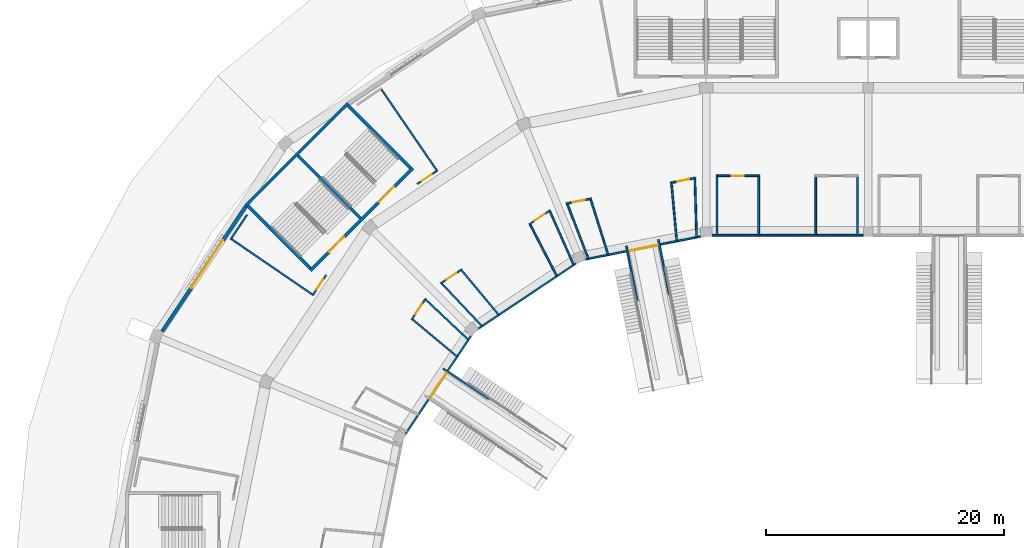
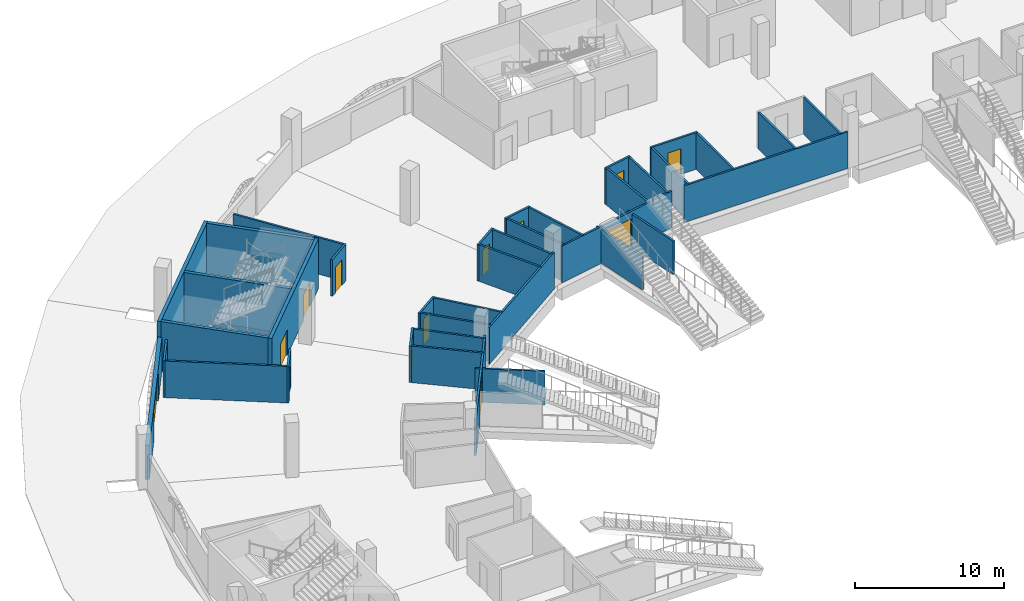
# One storey, part 37 of 175: 38 walls, 13 doors, 13 openings.
"""IFC4 building model written with IfcOpenShell, lengths in metres."""

from ifc_helpers import new_model, si_unit, direction, frame, frame_2d, origin, place, context, subcontext, project, spatial, rectangle, extrude, material, layer, layer_set, type_object, element, fill, save


model = new_model("IFC4")

# Units and contexts
model_context = context("Model", 3, precision=1e-05, world=origin(), true_north=direction((0.0, 1.0)))
body_context = subcontext(model_context, "Body", "Model", "MODEL_VIEW")
ifc_project = project(units=[si_unit("LENGTHUNIT", "METRE"), si_unit("AREAUNIT", "SQUARE_METRE"), si_unit("VOLUMEUNIT", "CUBIC_METRE"), si_unit("PLANEANGLEUNIT", "RADIAN"), si_unit("MASSUNIT", "GRAM", prefix="KILO")], contexts=[model_context])

# Site, building, storey
site_placement = place(None, origin())
site = spatial("IfcSite", under=ifc_project, at=site_placement, CompositionType="ELEMENT")
building_placement = place(site_placement, origin())
building = spatial("IfcBuilding", under=site, at=building_placement, Name="Ogive Plaza Stadium", CompositionType="ELEMENT")
storey_placement = place(building_placement, origin())
storey = spatial("IfcBuildingStorey", under=building, at=storey_placement, Name="L00", CompositionType="ELEMENT", Elevation=0.0)

# Wall, opening, door
ifc_material_1 = material(Name="Masonry blockwork", Category="masonry")
ifc_layer_1 = layer(ifc_material_1, 0.14990234375)
ifc_layer_set_1 = layer_set([ifc_layer_1], Name="Blockwork wall 150")
wall_type_1 = type_object("IfcWallType", Name="Blockwork wall 150", PredefinedType="SOLIDWALL", material=ifc_layer_set_1)
wall_1_placement = place(storey_placement, frame((-57.548095703125, 74.808837890625, 0.0), z_axis=(0.0, 0.0, 1.0), x_axis=(-0.555584101735, -0.831460345356, 0.0)))
wall_1 = element("IfcWall", 1, at=wall_1_placement, inside=storey, type_object=wall_type_1, Name="Wall L00 B29", PredefinedType="SOLIDWALL", context=body_context, shape_type="SweptSolid", body=[
    extrude(rectangle(XDim=2.16650390625, YDim=0.14990234375, at=frame_2d((1.083251953125, 0.0))), origin(), (0.0, 0.0, 1.0), 3.0),
])
opening_1_placement = place(wall_1_placement, frame((0.583251953125, 0.0, 0.0)))
opening_1 = element("IfcOpeningElement", 2, at=opening_1_placement, cuts=wall_1, Name="Opening D0439", PredefinedType="OPENING", context=body_context, shape_type="SweptSolid", body=[
    extrude(rectangle(XDim=1.0, YDim=2.10009765625, at=frame_2d((0.5, 1.050048828125))), frame((0.0, 0.074951171875, 0.0), z_axis=(0.0, -1.0, 0.0), x_axis=(1.0, 0.0, 0.0)), (0.0, 0.0, 1.0), 0.14990234375),
])
ifc_material_2 = material(Name="Steel ASTM A572 Grade 50", Category="steel")
door_type_1 = type_object("IfcDoorType", Name="Door 1000 x 2100", OperationType="SINGLE_SWING_LEFT", PredefinedType="DOOR", material=ifc_material_2)
door_1_placement = place(opening_1_placement, origin())
door_1 = element("IfcDoor", 3, at=door_1_placement, inside=storey, type_object=door_type_1, Name="Concession Stand B29 door", OperationType="SINGLE_SWING_RIGHT", OverallHeight=2.10009765625, OverallWidth=1.0, PredefinedType="DOOR", context=body_context, shape_type="SweptSolid", body=[
    extrude(rectangle(XDim=1.0, YDim=2.10009765625, at=frame_2d((0.5, 1.050048828125))), frame((0.0, 0.02490234375, 0.0), z_axis=(0.0, -1.0, 0.0), x_axis=(1.0, 0.0, 0.0)), (0.0, 0.0, 1.0), 0.050048828125),
])
fill(opening_1, door_1)

# Walls
wall_2_placement = place(storey_placement, frame((-53.974609375, 71.330078125, 0.0), z_axis=(0.0, 0.0, 1.0), x_axis=(-0.727681801846, 0.685914860068, 0.0)))
element("IfcWall", 4, at=wall_2_placement, inside=storey, type_object=wall_type_1, Name="Wall L00 B29", PredefinedType="SOLIDWALL", context=body_context, shape_type="SweptSolid", body=[
    extrude(rectangle(XDim=4.8984375, YDim=0.14990234375, at=frame_2d((2.44921875, 0.0))), origin(), (0.0, 0.0, 1.0), 3.0),
])
wall_3_placement = place(storey_placement, frame((-54.917236328125, 69.91943359375, 0.0), z_axis=(0.0, 0.0, 1.0), x_axis=(-0.768443715431, 0.639917382336, 0.0)))
element("IfcWall", 5, at=wall_3_placement, inside=storey, type_object=wall_type_1, Name="Wall L00 B29", PredefinedType="SOLIDWALL", context=body_context, shape_type="SweptSolid", body=[
    extrude(rectangle(XDim=4.857177734375, YDim=0.14990234375, at=frame_2d((2.4287109375, 0.0))), origin(), (0.0, 0.0, 1.0), 3.0),
])

# Wall, opening, door
wall_4_placement = place(storey_placement, frame((-56.308837890625, 76.048095703125, 0.0), z_axis=(0.0, 0.0, 1.0), x_axis=(0.831460345356, 0.555584101735, 0.0)))
wall_4 = element("IfcWall", 6, at=wall_4_placement, inside=storey, type_object=wall_type_1, Name="Wall L00 B30", PredefinedType="SOLIDWALL", context=body_context, shape_type="SweptSolid", body=[
    extrude(rectangle(XDim=2.16650390625, YDim=0.14990234375, at=frame_2d((1.083251953125, 0.0))), origin(), (0.0, 0.0, 1.0), 3.0),
])
opening_2_placement = place(wall_4_placement, frame((0.583251953125, 0.0, 0.0)))
opening_2 = element("IfcOpeningElement", 7, at=opening_2_placement, cuts=wall_4, Name="Opening D0442", PredefinedType="OPENING", context=body_context, shape_type="SweptSolid", body=[
    extrude(rectangle(XDim=1.0, YDim=2.10009765625, at=frame_2d((0.5, 1.050048828125))), frame((0.0, 0.074951171875, 0.0), z_axis=(0.0, -1.0, 0.0), x_axis=(1.0, 0.0, 0.0)), (0.0, 0.0, 1.0), 0.14990234375),
])
door_2_placement = place(opening_2_placement, origin())
door_2 = element("IfcDoor", 8, at=door_2_placement, inside=storey, type_object=door_type_1, Name="Concession Stand B30 door", OperationType="SINGLE_SWING_LEFT", OverallHeight=2.10009765625, OverallWidth=1.0, PredefinedType="DOOR", context=body_context, shape_type="SweptSolid", body=[
    extrude(rectangle(XDim=1.0, YDim=2.10009765625, at=frame_2d((0.5, 1.050048828125))), frame((0.0, 0.02490234375, 0.0), z_axis=(0.0, -1.0, 0.0), x_axis=(1.0, 0.0, 0.0)), (0.0, 0.0, 1.0), 0.050048828125),
])
fill(opening_2, door_2)

# Walls
wall_5_placement = place(storey_placement, frame((-52.830078125, 72.474609375, 0.0), z_axis=(0.0, 0.0, 1.0), x_axis=(-0.685914860068, 0.727681801846, 0.0)))
element("IfcWall", 9, at=wall_5_placement, inside=storey, type_object=wall_type_1, Name="Wall L00 B30", PredefinedType="SOLIDWALL", context=body_context, shape_type="SweptSolid", body=[
    extrude(rectangle(XDim=4.8984375, YDim=0.14990234375, at=frame_2d((2.44921875, 0.0))), origin(), (0.0, 0.0, 1.0), 3.0),
])
wall_6_placement = place(storey_placement, frame((-51.41943359375, 73.417236328125, 0.0), z_axis=(0.0, 0.0, 1.0), x_axis=(-0.639917382336, 0.768443715431, 0.0)))
element("IfcWall", 10, at=wall_6_placement, inside=storey, type_object=wall_type_1, Name="Wall L00 B30", PredefinedType="SOLIDWALL", context=body_context, shape_type="SweptSolid", body=[
    extrude(rectangle(XDim=4.857177734375, YDim=0.14990234375, at=frame_2d((2.4287109375, 0.0))), origin(), (0.0, 0.0, 1.0), 3.0),
])

# Wall, opening, door
wall_7_placement = place(storey_placement, frame((-48.879150390625, 81.012451171875, 0.0), z_axis=(0.0, 0.0, 1.0), x_axis=(0.831460345356, 0.555584101735, 0.0)))
wall_7 = element("IfcWall", 11, at=wall_7_placement, inside=storey, type_object=wall_type_1, Name="Wall L00 B30", PredefinedType="SOLIDWALL", context=body_context, shape_type="SweptSolid", body=[
    extrude(rectangle(XDim=2.16650390625, YDim=0.14990234375, at=frame_2d((1.083251953125, 0.0))), origin(), (0.0, 0.0, 1.0), 3.0),
])
opening_3_placement = place(wall_7_placement, frame((0.583251953125, 0.0, 0.0)))
opening_3 = element("IfcOpeningElement", 12, at=opening_3_placement, cuts=wall_7, Name="Opening D0443", PredefinedType="OPENING", context=body_context, shape_type="SweptSolid", body=[
    extrude(rectangle(XDim=1.0, YDim=2.10009765625, at=frame_2d((0.5, 1.050048828125))), frame((0.0, 0.074951171875, 0.0), z_axis=(0.0, -1.0, 0.0), x_axis=(1.0, 0.0, 0.0)), (0.0, 0.0, 1.0), 0.14990234375),
])
door_3_placement = place(opening_3_placement, origin())
door_3 = element("IfcDoor", 13, at=door_3_placement, inside=storey, type_object=door_type_1, Name="Concession Stand B30 door", OperationType="SINGLE_SWING_RIGHT", OverallHeight=2.10009765625, OverallWidth=1.0, PredefinedType="DOOR", context=body_context, shape_type="SweptSolid", body=[
    extrude(rectangle(XDim=1.0, YDim=2.10009765625, at=frame_2d((0.5, 1.050048828125))), frame((0.0, 0.02490234375, 0.0), z_axis=(0.0, -1.0, 0.0), x_axis=(1.0, 0.0, 0.0)), (0.0, 0.0, 1.0), 0.050048828125),
])
fill(opening_3, door_3)

# Walls
wall_8_placement = place(storey_placement, frame((-46.539794921875, 76.677490234375, 0.0), z_axis=(0.0, 0.0, 1.0), x_axis=(-0.460446193467, 0.887687615618, 0.0)))
element("IfcWall", 14, at=wall_8_placement, inside=storey, type_object=wall_type_1, Name="Wall L00 B30", PredefinedType="SOLIDWALL", context=body_context, shape_type="SweptSolid", body=[
    extrude(rectangle(XDim=4.860107421875, YDim=0.14990234375, at=frame_2d((2.43017578125, 0.0))), origin(), (0.0, 0.0, 1.0), 3.0),
])
wall_9_placement = place(storey_placement, frame((-45.129150390625, 77.6201171875, 0.0), z_axis=(0.0, 0.0, 1.0), x_axis=(-0.405098626615, 0.914272991352, 0.0)))
element("IfcWall", 15, at=wall_9_placement, inside=storey, type_object=wall_type_1, Name="Wall L00 B30", PredefinedType="SOLIDWALL", context=body_context, shape_type="SweptSolid", body=[
    extrude(rectangle(XDim=4.90283203125, YDim=0.14990234375, at=frame_2d((2.451416015625, 0.0))), origin(), (0.0, 0.0, 1.0), 3.0),
])

# Wall, opening, door
wall_10_placement = place(storey_placement, frame((-58.275390625, 84.40673828125, 0.0), z_axis=(0.0, 0.0, 1.0), x_axis=(0.831526298134, 0.555485387307, 0.0)))
wall_10 = element("IfcWall", 16, at=wall_10_placement, inside=storey, type_object=wall_type_1, Name="Wall L00 B30", PredefinedType="SOLIDWALL", context=body_context, shape_type="SweptSolid", body=[
    extrude(rectangle(XDim=2.080078125, YDim=0.14990234375, at=frame_2d((1.0400390625, 0.0))), origin(), (0.0, 0.0, 1.0), 3.0),
])
opening_4_placement = place(wall_10_placement, frame((0.47216796875, 0.0, 0.0)))
opening_4 = element("IfcOpeningElement", 17, at=opening_4_placement, cuts=wall_10, Name="Opening D0444", PredefinedType="OPENING", context=body_context, shape_type="SweptSolid", body=[
    extrude(rectangle(XDim=1.0, YDim=2.10009765625, at=frame_2d((0.5, 1.050048828125))), frame((0.0, 0.074951171875, 0.0), z_axis=(0.0, -1.0, 0.0), x_axis=(1.0, 0.0, 0.0)), (0.0, 0.0, 1.0), 0.14990234375),
])
ifc_material_3 = material(Name="Steel ASTM A572 Grade 50", Category="steel")
door_type_2 = type_object("IfcDoorType", Name="Fire door FD60 1000 x 2100", OperationType="SINGLE_SWING_LEFT", PredefinedType="DOOR", material=ifc_material_3)
door_4_placement = place(opening_4_placement, origin())
door_4 = element("IfcDoor", 18, at=door_4_placement, inside=storey, type_object=door_type_2, Name="Merchandise Store B30 door", OperationType="SINGLE_SWING_RIGHT", OverallHeight=2.10009765625, OverallWidth=1.0, PredefinedType="DOOR", context=body_context, shape_type="SweptSolid", body=[
    extrude(rectangle(XDim=1.0, YDim=2.10009765625, at=frame_2d((0.5, 1.050048828125))), frame((0.0, 0.02490234375, 0.0), z_axis=(0.0, -1.0, 0.0), x_axis=(1.0, 0.0, 0.0)), (0.0, 0.0, 1.0), 0.050048828125),
])
fill(opening_4, door_4)

# Wall
wall_11_placement = place(storey_placement, frame((-56.643798828125, 85.58544921875, 0.0), z_axis=(0.0, 0.0, 1.0), x_axis=(-0.564785434986, 0.825237791444, 0.0)))
element("IfcWall", 19, at=wall_11_placement, inside=storey, type_object=wall_type_1, Name="Wall L00 B30", PredefinedType="SOLIDWALL", context=body_context, shape_type="SweptSolid", body=[
    extrude(rectangle(XDim=8.189697265625, YDim=0.14990234375, at=frame_2d((4.0947265625, 0.0))), origin(), (0.0, 0.0, 1.0), 3.0),
])

# Wall, opening, door
wall_12_placement = place(storey_placement, frame((-34.87646484375, 84.92578125, 0.0), z_axis=(0.0, 0.0, 1.0), x_axis=(-0.980766609665, -0.195184162696, 0.0)))
wall_12 = element("IfcWall", 20, at=wall_12_placement, inside=storey, type_object=wall_type_1, Name="Wall L00 B31", PredefinedType="SOLIDWALL", context=body_context, shape_type="SweptSolid", body=[
    extrude(rectangle(XDim=2.16650390625, YDim=0.14990234375, at=frame_2d((1.083251953125, 0.0))), origin(), (0.0, 0.0, 1.0), 3.0),
])
opening_5_placement = place(wall_12_placement, frame((0.583251953125, 0.0, 0.0)))
opening_5 = element("IfcOpeningElement", 21, at=opening_5_placement, cuts=wall_12, Name="Opening D0445", PredefinedType="OPENING", context=body_context, shape_type="SweptSolid", body=[
    extrude(rectangle(XDim=1.0, YDim=2.10009765625, at=frame_2d((0.5, 1.050048828125))), frame((0.0, 0.074951171875, 0.0), z_axis=(0.0, -1.0, 0.0), x_axis=(1.0, 0.0, 0.0)), (0.0, 0.0, 1.0), 0.14990234375),
])
door_5_placement = place(opening_5_placement, origin())
door_5 = element("IfcDoor", 22, at=door_5_placement, inside=storey, type_object=door_type_1, Name="Concession Stand B31 door", OperationType="SINGLE_SWING_RIGHT", OverallHeight=2.10009765625, OverallWidth=1.0, PredefinedType="DOOR", context=body_context, shape_type="SweptSolid", body=[
    extrude(rectangle(XDim=1.0, YDim=2.10009765625, at=frame_2d((0.5, 1.050048828125))), frame((0.0, 0.02490234375, 0.0), z_axis=(0.0, -1.0, 0.0), x_axis=(1.0, 0.0, 0.0)), (0.0, 0.0, 1.0), 0.050048828125),
])
fill(opening_5, door_5)

# Walls
wall_13_placement = place(storey_placement, frame((-34.809326171875, 79.93896484375, 0.0), z_axis=(0.0, 0.0, 1.0), x_axis=(-0.02950597086, 0.999564604057, 0.0)))
element("IfcWall", 23, at=wall_13_placement, inside=storey, type_object=wall_type_1, Name="Wall L00 B31", PredefinedType="SOLIDWALL", context=body_context, shape_type="SweptSolid", body=[
    extrude(rectangle(XDim=4.8984375, YDim=0.14990234375, at=frame_2d((2.44921875, 0.0))), origin(), (0.0, 0.0, 1.0), 3.0),
])
wall_14_placement = place(storey_placement, frame((-36.473388671875, 79.60791015625, 0.0), z_axis=(0.0, 0.0, 1.0), x_axis=(-0.090871085934, 0.995862664096, 0.0)))
element("IfcWall", 24, at=wall_14_placement, inside=storey, type_object=wall_type_1, Name="Wall L00 B31", PredefinedType="SOLIDWALL", context=body_context, shape_type="SweptSolid", body=[
    extrude(rectangle(XDim=4.857421875, YDim=0.14990234375, at=frame_2d((2.4287109375, 0.0))), origin(), (0.0, 0.0, 1.0), 3.0),
])

# Wall, opening, door
wall_15_placement = place(storey_placement, frame((-43.64013671875, 83.182373046875, 0.0), z_axis=(0.0, 0.0, 1.0), x_axis=(-0.980788176969, -0.195075759432, 0.0)))
wall_15 = element("IfcWall", 25, at=wall_15_placement, inside=storey, type_object=wall_type_1, Name="Wall L00 B31", PredefinedType="SOLIDWALL", context=body_context, shape_type="SweptSolid", body=[
    extrude(rectangle(XDim=2.166259765625, YDim=0.14990234375, at=frame_2d((1.0830078125, 0.0))), origin(), (0.0, 0.0, 1.0), 3.0),
])
opening_6_placement = place(wall_15_placement, frame((0.583251953125, 0.0, 0.0)))
opening_6 = element("IfcOpeningElement", 26, at=opening_6_placement, cuts=wall_15, Name="Opening D0446", PredefinedType="OPENING", context=body_context, shape_type="SweptSolid", body=[
    extrude(rectangle(XDim=1.0, YDim=2.10009765625, at=frame_2d((0.5, 1.050048828125))), frame((0.0, 0.074951171875, 0.0), z_axis=(0.0, -1.0, 0.0), x_axis=(1.0, 0.0, 0.0)), (0.0, 0.0, 1.0), 0.14990234375),
])
door_6_placement = place(opening_6_placement, origin())
door_6 = element("IfcDoor", 27, at=door_6_placement, inside=storey, type_object=door_type_1, Name="Concession Stand B31 door", OperationType="SINGLE_SWING_LEFT", OverallHeight=2.10009765625, OverallWidth=1.0, PredefinedType="DOOR", context=body_context, shape_type="SweptSolid", body=[
    extrude(rectangle(XDim=1.0, YDim=2.10009765625, at=frame_2d((0.5, 1.050048828125))), frame((0.0, 0.02490234375, 0.0), z_axis=(0.0, -1.0, 0.0), x_axis=(1.0, 0.0, 0.0)), (0.0, 0.0, 1.0), 0.050048828125),
])
fill(opening_6, door_6)

# Walls
wall_16_placement = place(storey_placement, frame((-42.22900390625, 78.463134765625, 0.0), z_axis=(0.0, 0.0, 1.0), x_axis=(-0.302162587804, 0.953256403352, 0.0)))
element("IfcWall", 28, at=wall_16_placement, inside=storey, type_object=wall_type_1, Name="Wall L00 B31", PredefinedType="SOLIDWALL", context=body_context, shape_type="SweptSolid", body=[
    extrude(rectangle(XDim=4.860107421875, YDim=0.14990234375, at=frame_2d((2.43017578125, 0.0))), origin(), (0.0, 0.0, 1.0), 3.0),
])
wall_17_placement = place(storey_placement, frame((-43.89306640625, 78.132080078125, 0.0), z_axis=(0.0, 0.0, 1.0), x_axis=(-0.360073313022, 0.932924010437, 0.0)))
element("IfcWall", 29, at=wall_17_placement, inside=storey, type_object=wall_type_1, Name="Wall L00 B31", PredefinedType="SOLIDWALL", context=body_context, shape_type="SweptSolid", body=[
    extrude(rectangle(XDim=4.90283203125, YDim=0.14990234375, at=frame_2d((2.451416015625, 0.0))), origin(), (0.0, 0.0, 1.0), 3.0),
])

# Wall, opening, door
wall_18_placement = place(storey_placement, frame((-33.175048828125, 85.10009765625, 0.0), z_axis=(0.0, 0.0, 1.0), x_axis=(1.0, 0.0, 0.0)))
wall_18 = element("IfcWall", 30, at=wall_18_placement, inside=storey, type_object=wall_type_1, Name="Wall L00 B32", PredefinedType="SOLIDWALL", context=body_context, shape_type="SweptSolid", body=[
    extrude(rectangle(XDim=3.650146484375, YDim=0.14990234375, at=frame_2d((1.8251953125, 0.0))), origin(), (0.0, 0.0, 1.0), 3.0),
])
opening_7_placement = place(wall_18_placement, frame((1.324951171875, 0.0, 0.0)))
opening_7 = element("IfcOpeningElement", 31, at=opening_7_placement, cuts=wall_18, Name="Opening D0448", PredefinedType="OPENING", context=body_context, shape_type="SweptSolid", body=[
    extrude(rectangle(XDim=1.0, YDim=2.10009765625, at=frame_2d((0.5, 1.050048828125))), frame((0.0, 0.074951171875, 0.0), z_axis=(0.0, -1.0, 0.0), x_axis=(1.0, 0.0, 0.0)), (0.0, 0.0, 1.0), 0.14990234375),
])
door_7_placement = place(opening_7_placement, origin())
door_7 = element("IfcDoor", 32, at=door_7_placement, inside=storey, type_object=door_type_1, Name="Concession Stand B32 door", OperationType="SINGLE_SWING_LEFT", OverallHeight=2.10009765625, OverallWidth=1.0, PredefinedType="DOOR", context=body_context, shape_type="SweptSolid", body=[
    extrude(rectangle(XDim=1.0, YDim=2.10009765625, at=frame_2d((0.5, 1.050048828125))), frame((0.0, 0.02490234375, 0.0), z_axis=(0.0, -1.0, 0.0), x_axis=(1.0, 0.0, 0.0)), (0.0, 0.0, 1.0), 0.050048828125),
])
fill(opening_7, door_7)

# Walls
for number, where, z_axis, x_axis, name in (
    (33, (-33.10009765625, 80.10009765625, 0.0), (0.0, 0.0, 1.0), (0.0, 1.0, 0.0), "Wall L00 B32"),
    (34, (-29.60009765625, 80.10009765625, 0.0), (0.0, 0.0, 1.0), (0.0, 1.0, 0.0), "Wall L00 B32"),
    (35, (-24.800048828125, 80.10009765625, 0.0), (0.0, 0.0, 1.0), (0.0, 1.0, 0.0), "Wall L00 B32"),
    (36, (-21.300048828125, 80.10009765625, 0.0), (0.0, 0.0, 1.0), (0.0, 1.0, 0.0), "Wall L00 B32"),
):
    element("IfcWall", number, at=place(storey_placement, frame(where, z_axis=z_axis, x_axis=x_axis)), inside=storey, type_object=wall_type_1, Name=name, PredefinedType="SOLIDWALL", context=body_context, shape_type="SweptSolid", body=[
        extrude(rectangle(XDim=4.9248046875, YDim=0.14990234375, at=frame_2d((2.46240234375, 0.0))), origin(), (0.0, 0.0, 1.0), 3.0),
    ])

# Wall, opening, door
wall_19_placement = place(storey_placement, frame((-59.244140625, 63.443603515625, 0.0), z_axis=(0.0, 0.0, 1.0), x_axis=(0.555569179667, 0.83147031613, 0.0)))
wall_19 = element("IfcWall", 37, at=wall_19_placement, inside=storey, type_object=wall_type_1, Name="Stand rear wall B29", PredefinedType="SOLIDWALL", context=body_context, shape_type="SweptSolid", body=[
    extrude(rectangle(XDim=9.851318359375, YDim=0.14990234375, at=frame_2d((4.92578125, 0.0))), origin(), (0.0, 0.0, 1.0), 3.0),
])
opening_8_placement = place(wall_19_placement, frame((3.755615234375, 0.0, 0.0)))
opening_8 = element("IfcOpeningElement", 38, at=opening_8_placement, cuts=wall_19, Name="Opening D1051", PredefinedType="OPENING", context=body_context, shape_type="SweptSolid", body=[
    extrude(rectangle(XDim=2.39990234375, YDim=2.39990234375, at=frame_2d((1.199951171875, 1.199951171875))), frame((0.0, 0.074951171875, 0.0), z_axis=(0.0, -1.0, 0.0), x_axis=(1.0, 0.0, 0.0)), (0.0, 0.0, 1.0), 0.14990234375),
])
ifc_material_4 = material(Name="Steel ASTM A572 Grade 50", Category="steel")
door_type_3 = type_object("IfcDoorType", Name="Service door pair 2400 x 2400", OperationType="DOUBLE_DOOR_SINGLE_SWING", PredefinedType="DOOR", material=ifc_material_4)
door_8_placement = place(opening_8_placement, origin())
door_8 = element("IfcDoor", 39, at=door_8_placement, inside=storey, type_object=door_type_3, Name="Vomitory portal door B29", OperationType="DOUBLE_DOOR_SINGLE_SWING", OverallHeight=2.39990234375, OverallWidth=2.39990234375, PredefinedType="DOOR", context=body_context, shape_type="SweptSolid", body=[
    extrude(rectangle(XDim=2.39990234375, YDim=2.39990234375, at=frame_2d((1.199951171875, 1.199951171875))), frame((0.0, 0.02490234375, 0.0), z_axis=(0.0, -1.0, 0.0), x_axis=(1.0, 0.0, 0.0)), (0.0, 0.0, 1.0), 0.050048828125),
])
fill(opening_8, door_8)

# Wall
wall_20_placement = place(storey_placement, frame((-53.134765625, 72.27099609375, 0.0), z_axis=(0.0, 0.0, 1.0), x_axis=(0.83147031613, 0.555569179667, 0.0)))
element("IfcWall", 40, at=wall_20_placement, inside=storey, type_object=wall_type_1, Name="Stand rear wall B30", PredefinedType="SOLIDWALL", context=body_context, shape_type="SweptSolid", body=[
    extrude(rectangle(XDim=9.851318359375, YDim=0.14990234375, at=frame_2d((4.92578125, 0.0))), origin(), (0.0, 0.0, 1.0), 3.0),
])

# Wall, opening, door
wall_21_placement = place(storey_placement, frame((-44.112060546875, 78.088623046875, 0.0), z_axis=(0.0, 0.0, 1.0), x_axis=(0.980787086023, 0.195081244333, 0.0)))
wall_21 = element("IfcWall", 41, at=wall_21_placement, inside=storey, type_object=wall_type_1, Name="Stand rear wall B31", PredefinedType="SOLIDWALL", context=body_context, shape_type="SweptSolid", body=[
    extrude(rectangle(XDim=9.80029296875, YDim=0.14990234375, at=frame_2d((4.900146484375, 0.0))), origin(), (0.0, 0.0, 1.0), 3.0),
])
opening_9_placement = place(wall_21_placement, frame((3.755615234375, 0.0, 0.0)))
opening_9 = element("IfcOpeningElement", 42, at=opening_9_placement, cuts=wall_21, Name="Opening D1052", PredefinedType="OPENING", context=body_context, shape_type="SweptSolid", body=[
    extrude(rectangle(XDim=2.39990234375, YDim=2.39990234375, at=frame_2d((1.199951171875, 1.199951171875))), frame((0.0, 0.074951171875, 0.0), z_axis=(0.0, -1.0, 0.0), x_axis=(1.0, 0.0, 0.0)), (0.0, 0.0, 1.0), 0.14990234375),
])
door_9_placement = place(opening_9_placement, origin())
door_9 = element("IfcDoor", 43, at=door_9_placement, inside=storey, type_object=door_type_3, Name="Vomitory portal door B31", OperationType="DOUBLE_DOOR_SINGLE_SWING", OverallHeight=2.39990234375, OverallWidth=2.39990234375, PredefinedType="DOOR", context=body_context, shape_type="SweptSolid", body=[
    extrude(rectangle(XDim=2.39990234375, YDim=2.39990234375, at=frame_2d((1.199951171875, 1.199951171875))), frame((0.0, 0.02490234375, 0.0), z_axis=(0.0, -1.0, 0.0), x_axis=(1.0, 0.0, 0.0)), (0.0, 0.0, 1.0), 0.050048828125),
])
fill(opening_9, door_9)

# Wall
wall_22_placement = place(storey_placement, frame((-33.5, 80.10009765625, 0.0), z_axis=(0.0, 0.0, 1.0), x_axis=(1.0, 0.0, 0.0)))
element("IfcWall", 44, at=wall_22_placement, inside=storey, type_object=wall_type_1, Name="Stand rear wall B32", PredefinedType="SOLIDWALL", context=body_context, shape_type="SweptSolid", body=[
    extrude(rectangle(XDim=12.699951171875, YDim=0.14990234375, at=frame_2d((6.35009765625, 0.0))), origin(), (0.0, 0.0, 1.0), 3.0),
])

# Wall, openings, doors
ifc_material_5 = material(Name="Concrete C40/50", Category="concrete")
ifc_layer_2 = layer(ifc_material_5, 0.25)
ifc_layer_set_2 = layer_set([ifc_layer_2], Name="Concrete C40/50")
wall_type_2 = type_object("IfcWallType", Name="Core wall 250", PredefinedType="SHEAR", material=ifc_layer_set_2)
wall_23_placement = place(storey_placement, frame((-58.642578125, 85.734130859375, 0.0), z_axis=(0.0, 0.0, 1.0), x_axis=(-0.707106781187, -0.707106781187, 0.0)))
wall_23 = element("IfcWall", 45, at=wall_23_placement, inside=storey, type_object=wall_type_2, Name="Stair core R30 inner wall", PredefinedType="SHEAR", context=body_context, shape_type="SweptSolid", body=[
    extrude(rectangle(XDim=12.150390625, YDim=0.25, at=frame_2d((6.0751953125, 0.0))), origin(), (0.0, 0.0, 1.0), 4.090087890625),
])
opening_10_placement = place(wall_23_placement, frame((2.199951171875, 0.0, 0.0)))
opening_10 = element("IfcOpeningElement", 46, at=opening_10_placement, cuts=wall_23, Name="Opening D0221", PredefinedType="OPENING", context=body_context, shape_type="SweptSolid", body=[
    extrude(rectangle(XDim=1.800048828125, YDim=2.10009765625, at=frame_2d((0.89990234375, 1.050048828125))), frame((0.0, 0.125, 0.0), z_axis=(0.0, -1.0, 0.0), x_axis=(1.0, 0.0, 0.0)), (0.0, 0.0, 1.0), 0.25),
])
opening_11_placement = place(wall_23_placement, frame((8.14990234375, 0.0, 0.0)))
opening_11 = element("IfcOpeningElement", 47, at=opening_11_placement, cuts=wall_23, Name="Opening D0222", PredefinedType="OPENING", context=body_context, shape_type="SweptSolid", body=[
    extrude(rectangle(XDim=1.800048828125, YDim=2.10009765625, at=frame_2d((0.89990234375, 1.050048828125))), frame((0.0, 0.125, 0.0), z_axis=(0.0, -1.0, 0.0), x_axis=(1.0, 0.0, 0.0)), (0.0, 0.0, 1.0), 0.25),
])
ifc_material_6 = material(Name="Steel ASTM A572 Grade 50", Category="steel")
door_type_4 = type_object("IfcDoorType", Name="Fire door FD90 pair 1800 x 2100", OperationType="DOUBLE_DOOR_SINGLE_SWING", PredefinedType="DOOR", material=ifc_material_6)
door_10_placement = place(opening_10_placement, origin())
door_10 = element("IfcDoor", 48, at=door_10_placement, inside=storey, type_object=door_type_4, Name="Exit stair R30A door L00", OperationType="DOUBLE_DOOR_SINGLE_SWING", OverallHeight=2.10009765625, OverallWidth=1.800048828125, PredefinedType="DOOR", context=body_context, shape_type="SweptSolid", body=[
    extrude(rectangle(XDim=1.800048828125, YDim=2.10009765625, at=frame_2d((0.89990234375, 1.050048828125))), frame((0.0, 0.02490234375, 0.0), z_axis=(0.0, -1.0, 0.0), x_axis=(1.0, 0.0, 0.0)), (0.0, 0.0, 1.0), 0.050048828125),
])
fill(opening_10, door_10)
door_11_placement = place(opening_11_placement, origin())
door_11 = element("IfcDoor", 49, at=door_11_placement, inside=storey, type_object=door_type_4, Name="Exit stair R30B door L00", OperationType="DOUBLE_DOOR_SINGLE_SWING", OverallHeight=2.10009765625, OverallWidth=1.800048828125, PredefinedType="DOOR", context=body_context, shape_type="SweptSolid", body=[
    extrude(rectangle(XDim=1.800048828125, YDim=2.10009765625, at=frame_2d((0.89990234375, 1.050048828125))), frame((0.0, 0.02490234375, 0.0), z_axis=(0.0, -1.0, 0.0), x_axis=(1.0, 0.0, 0.0)), (0.0, 0.0, 1.0), 0.050048828125),
])
fill(opening_11, door_11)

# Walls
wall_24_placement = place(storey_placement, frame((-64.094482421875, 91.185791015625, 0.0), z_axis=(0.0, 0.0, 1.0), x_axis=(-0.707106781187, -0.707106781187, 0.0)))
element("IfcWall", 50, at=wall_24_placement, inside=storey, type_object=wall_type_2, Name="Stair core R30 outer wall", PredefinedType="SHEAR", context=body_context, shape_type="SweptSolid", body=[
    extrude(rectangle(XDim=12.14990234375, YDim=0.25, at=frame_2d((6.074951171875, 0.0))), origin(), (0.0, 0.0, 1.0), 4.090087890625),
])
for number, where, z_axis, x_axis, name in (
    (51, (-58.8193359375, 85.734130859375, 0.0), (0.0, 0.0, 1.0), (-0.707123144286, 0.707090417709, 0.0), "Stair core R30 side wall"),
    (52, (-67.234130859375, 77.3193359375, 0.0), (0.0, 0.0, 1.0), (-0.707090417709, 0.707123144286, 0.0), "Stair core R30 side wall"),
):
    element("IfcWall", number, at=place(storey_placement, frame(where, z_axis=z_axis, x_axis=x_axis)), inside=storey, type_object=wall_type_2, Name=name, PredefinedType="SHEAR", context=body_context, shape_type="SweptSolid", body=[
        extrude(rectangle(XDim=7.4599609375, YDim=0.25, at=frame_2d((3.72998046875, 0.0))), origin(), (0.0, 0.0, 1.0), 4.090087890625),
    ])
wall_25_placement = place(storey_placement, frame((-63.026611328125, 81.526611328125, 0.0), z_axis=(0.0, 0.0, 1.0), x_axis=(-0.707106781187, 0.707106781187, 0.0)))
element("IfcWall", 53, at=wall_25_placement, inside=storey, type_object=wall_type_2, Name="Stair core R30 centre wall", PredefinedType="SHEAR", context=body_context, shape_type="SweptSolid", body=[
    extrude(rectangle(XDim=7.460205078125, YDim=0.25, at=frame_2d((3.72998046875, 0.0))), origin(), (0.0, 0.0, 1.0), 4.090087890625),
])

# Wall, opening, door
ifc_material_7 = material(Name="Gypsum board partition", Category="gypsum")
ifc_layer_3 = layer(ifc_material_7, 0.14990234375)
ifc_layer_set_3 = layer_set([ifc_layer_3], Name="Partition 150")
wall_type_3 = type_object("IfcWallType", Name="Partition 150", PredefinedType="PARTITIONING", material=ifc_layer_set_3)
wall_26_placement = place(storey_placement, frame((-65.90673828125, 76.775390625, 0.0), z_axis=(0.0, 0.0, 1.0), x_axis=(-0.555485387307, -0.831526298134, 0.0)))
wall_26 = element("IfcWall", 54, at=wall_26_placement, inside=storey, type_object=wall_type_3, Name="Wall L00 B29", PredefinedType="PARTITIONING", context=body_context, shape_type="SweptSolid", body=[
    extrude(rectangle(XDim=2.080078125, YDim=0.14990234375, at=frame_2d((1.0400390625, 0.0))), origin(), (0.0, 0.0, 1.0), 3.0),
])
opening_12_placement = place(wall_26_placement, frame((0.47216796875, 0.0, 0.0)))
opening_12 = element("IfcOpeningElement", 55, at=opening_12_placement, cuts=wall_26, Name="Opening D0441", PredefinedType="OPENING", context=body_context, shape_type="SweptSolid", body=[
    extrude(rectangle(XDim=1.0, YDim=2.10009765625, at=frame_2d((0.5, 1.050048828125))), frame((0.0, 0.074951171875, 0.0), z_axis=(0.0, -1.0, 0.0), x_axis=(1.0, 0.0, 0.0)), (0.0, 0.0, 1.0), 0.14990234375),
])
door_12_placement = place(opening_12_placement, origin())
door_12 = element("IfcDoor", 56, at=door_12_placement, inside=storey, type_object=door_type_1, Name="Security Office B29 door", OperationType="SINGLE_SWING_RIGHT", OverallHeight=2.10009765625, OverallWidth=1.0, PredefinedType="DOOR", context=body_context, shape_type="SweptSolid", body=[
    extrude(rectangle(XDim=1.0, YDim=2.10009765625, at=frame_2d((0.5, 1.050048828125))), frame((0.0, 0.02490234375, 0.0), z_axis=(0.0, -1.0, 0.0), x_axis=(1.0, 0.0, 0.0)), (0.0, 0.0, 1.0), 0.050048828125),
])
fill(opening_12, door_12)

# Walls
wall_27_placement = place(storey_placement, frame((-72.553955078125, 81.832763671875, 0.0), z_axis=(0.0, 0.0, 1.0), x_axis=(-0.555551611961, -0.831482054195, 0.0)))
element("IfcWall", 57, at=wall_27_placement, inside=storey, type_object=wall_type_3, Name="Wall L00 B29", PredefinedType="PARTITIONING", context=body_context, shape_type="SweptSolid", body=[
    extrude(rectangle(XDim=2.513671875, YDim=0.14990234375, at=frame_2d((1.2568359375, 0.0))), origin(), (0.0, 0.0, 1.0), 3.0),
])
wall_28_placement = place(storey_placement, frame((-67.08544921875, 75.143798828125, 0.0), z_axis=(0.0, 0.0, 1.0), x_axis=(-0.825237791444, 0.564785434986, 0.0)))
element("IfcWall", 58, at=wall_28_placement, inside=storey, type_object=wall_type_3, Name="Wall L00 B29", PredefinedType="PARTITIONING", context=body_context, shape_type="SweptSolid", body=[
    extrude(rectangle(XDim=8.189697265625, YDim=0.14990234375, at=frame_2d((4.0947265625, 0.0))), origin(), (0.0, 0.0, 1.0), 3.0),
])

# Wall, opening, door
ifc_material_8 = material(Name="Concrete C45/55 precast", Category="concrete")
ifc_layer_4 = layer(ifc_material_8, 0.25)
ifc_material_9 = material(Name="Cast stone (reconstituted limestone)", Category="masonry")
ifc_layer_5 = layer(ifc_material_9, 0.050048828125)
ifc_layer_set_4 = layer_set([ifc_layer_4, ifc_layer_5], Name="Concrete C45/55 precast, cast stone facing")
wall_type_4 = type_object("IfcWallType", Name="Portal infill wall 300 A", PredefinedType="SOLIDWALL", material=ifc_layer_set_4)
wall_29_placement = place(storey_placement, frame((-79.694091796875, 72.0224609375, 0.0), z_axis=(0.0, 0.0, 1.0), x_axis=(0.555575571867, 0.831466044974, 0.0)))
wall_29 = element("IfcWall", 59, at=wall_29_placement, inside=storey, type_object=wall_type_4, Name="PORTAL WALL B29", PredefinedType="SOLIDWALL", context=body_context, shape_type="SweptSolid", body=[
    extrude(rectangle(XDim=12.6748046875, YDim=0.300048828125, at=frame_2d((6.33740234375, 0.0))), origin(), (0.0, 0.0, 1.0), 2.7900390625),
])
opening_13_placement = place(wall_29_placement, frame((4.41162109375, 0.0, 0.0)))
opening_13 = element("IfcOpeningElement", 60, at=opening_13_placement, cuts=wall_29, Name="Opening D0029", PredefinedType="OPENING", context=body_context, shape_type="SweptSolid", body=[
    extrude(rectangle(XDim=4.800048828125, YDim=2.39990234375, at=frame_2d((2.39990234375, 1.199951171875))), frame((0.0, 0.16015625, 0.0), z_axis=(0.0, -1.0, 0.0), x_axis=(1.0, 0.0, 0.0)), (0.0, 0.0, 1.0), 0.320068359375),
])
ifc_material_10 = material(Name="Bronze-anodised aluminium and laminated glass", Category="aluminium")
door_type_5 = type_object("IfcDoorType", Name="Entrance door pair 4800 x 2400", OperationType="DOUBLE_DOOR_SINGLE_SWING", PredefinedType="DOOR", material=ifc_material_10)
door_13_placement = place(opening_13_placement, origin())
door_13 = element("IfcDoor", 61, at=door_13_placement, inside=storey, type_object=door_type_5, Name="Main entrance E15", OperationType="DOUBLE_DOOR_SINGLE_SWING", OverallHeight=2.39990234375, OverallWidth=4.800048828125, PredefinedType="DOOR", context=body_context, shape_type="SweptSolid", body=[
    extrude(rectangle(XDim=4.800048828125, YDim=2.39990234375, at=frame_2d((2.39990234375, 1.199951171875))), frame((0.0, 0.02490234375, 0.0), z_axis=(0.0, -1.0, 0.0), x_axis=(1.0, 0.0, 0.0)), (0.0, 0.0, 1.0), 0.050048828125),
])
fill(opening_13, door_13)

# Walls
ifc_material_11 = material(Name="Concrete C40/50", Category="concrete")
ifc_layer_6 = layer(ifc_material_11, 0.14990234375)
ifc_layer_set_5 = layer_set([ifc_layer_6], Name="Concrete C40/50")
wall_type_5 = type_object("IfcWallType", Name="Vomitory wall 150", PredefinedType="SOLIDWALL", material=ifc_layer_set_5)
for number, where, z_axis, x_axis, name in (
    (62, (-52.1962890625, 66.30615234375, 0.0), (0.0, 0.0, 1.0), (-0.831482460604, 0.555551003696, 0.0), "Vomitory tunnel wall B29"),
    (63, (-37.1044921875, 75.129150390625, 0.0), (0.0, 0.0, 1.0), (-0.195057122146, 0.980791883684, 0.0), "Vomitory tunnel wall B31"),
    (64, (-39.791748046875, 74.5947265625, 0.0), (0.0, 0.0, 1.0), (-0.195107090954, 0.980781944705, 0.0), "Vomitory tunnel wall B31"),
):
    element("IfcWall", number, at=place(storey_placement, frame(where, z_axis=z_axis, x_axis=x_axis)), inside=storey, type_object=wall_type_5, Name=name, PredefinedType="SOLIDWALL", context=body_context, shape_type="SweptSolid", body=[
        extrude(rectangle(XDim=4.699951171875, YDim=0.14990234375, at=frame_2d((2.35009765625, 0.0))), origin(), (0.0, 0.0, 1.0), 2.75),
    ])

save(model, "model.ifc")
